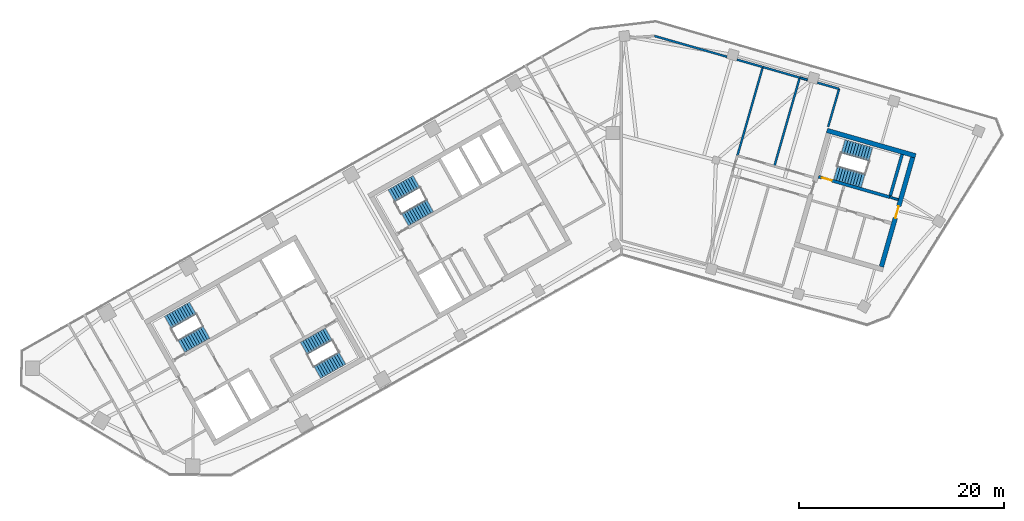
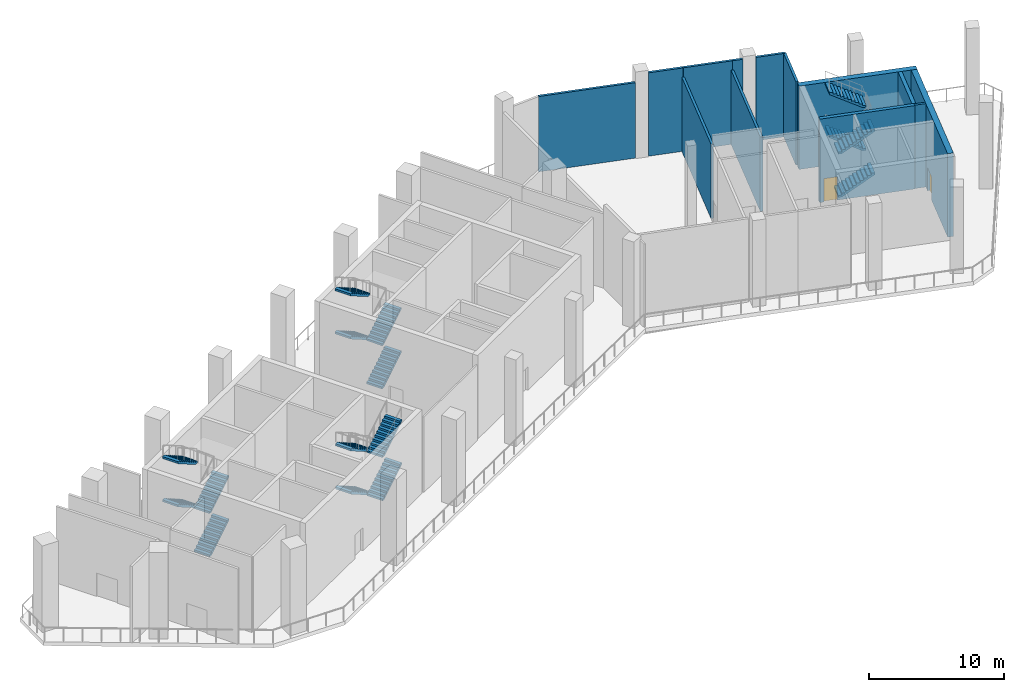
# One storey, part 5 of 8: 16 stair flights, 13 walls, 2 doors, 2 openings, 4 elements without a shape of their own.
"""IFC4 building model written with IfcOpenShell, lengths in metres."""

from ifc_helpers import new_model, si_unit, direction, frame, frame_2d, origin, place, context, subcontext, project, spatial, polyline, rectangle, outline, extrude, material, layer, layer_set, type_object, element, fill, aggregate, save


model = new_model("IFC4")

# Units and contexts
model_context = context("Model", 3, precision=1e-05, world=origin(), true_north=direction((0.0, 1.0)))
body_context = subcontext(model_context, "Body", "Model", "MODEL_VIEW")
ifc_project = project(units=[si_unit("LENGTHUNIT", "METRE"), si_unit("AREAUNIT", "SQUARE_METRE"), si_unit("VOLUMEUNIT", "CUBIC_METRE"), si_unit("PLANEANGLEUNIT", "RADIAN"), si_unit("MASSUNIT", "GRAM", prefix="KILO")], contexts=[model_context])

# Site, building, storey
site_placement = place(None, origin())
site = spatial("IfcSite", under=ifc_project, at=site_placement, CompositionType="ELEMENT")
building_placement = place(site_placement, origin())
building = spatial("IfcBuilding", under=site, at=building_placement, Name="Binnacle Exchange Tower", CompositionType="ELEMENT")
storey_placement = place(building_placement, frame((0.0, 0.0, 230.89990234375)))
storey = spatial("IfcBuildingStorey", under=building, at=storey_placement, Name="L51", CompositionType="ELEMENT", Elevation=230.89990234375)

# Wall
ifc_material_1 = material(Name="Concrete C70/85", Category="concrete")
ifc_layer_1 = layer(ifc_material_1, 0.449951171875)
ifc_layer_set_1 = layer_set([ifc_layer_1], Name="Core wall - outer 450")
wall_type_1 = type_object("IfcWallType", Name="Core wall - outer 450", PredefinedType="SOLIDWALL", material=ifc_layer_set_1)
wall_1_placement = place(storey_placement, frame((20.073486328125, 60.251708984375, 0.0), z_axis=(0.0, 0.0, 1.0), x_axis=(0.96126248289, -0.275634611374, 0.0)))
element("IfcWall", 1, at=wall_1_placement, inside=storey, type_object=wall_type_1, Name="Core wall CRWD6", PredefinedType="SOLIDWALL", context=body_context, shape_type="SweptSolid", body=[
    extrude(rectangle(XDim=9.0, YDim=0.449951171875, at=frame_2d((4.5, 0.0))), origin(), (0.0, 0.0, 1.0), 7.52001953125),
])

# Wall, opening, door
wall_2_placement = place(storey_placement, frame((25.386962890625, 46.94677734375, 0.0), z_axis=(0.0, 0.0, 1.0), x_axis=(0.275638974822, 0.961261231695, 0.0)))
wall_2 = element("IfcWall", 2, at=wall_2_placement, inside=storey, type_object=wall_type_1, Name="Core wall CRWD12", PredefinedType="SOLIDWALL", context=body_context, shape_type="SweptSolid", body=[
    extrude(rectangle(XDim=11.099853515625, YDim=0.449951171875, at=frame_2d((5.5498046875, 0.0))), origin(), (0.0, 0.0, 1.0), 7.52001953125),
])
opening_1_placement = place(wall_2_placement, frame((4.949951171875, 0.0, 0.0)))
opening_1 = element("IfcOpeningElement", 3, at=opening_1_placement, cuts=wall_2, Name="Opening DD6", PredefinedType="OPENING", context=body_context, shape_type="SweptSolid", body=[
    extrude(rectangle(XDim=1.199951171875, YDim=2.10009765625, at=frame_2d((0.60009765625, 1.050048828125))), frame((0.0, 0.23486328125, 0.0), z_axis=(0.0, -1.0, 0.0), x_axis=(1.0, 0.0, 0.0)), (0.0, 0.0, 1.0), 0.469970703125),
])
ifc_material_2 = material(Name="Steel door leaf", Category="steel")
door_type_1 = type_object("IfcDoorType", Name="Fire door 1200", OperationType="NOTDEFINED", PredefinedType="DOOR", material=ifc_material_2)
door_1_placement = place(opening_1_placement, frame((1.199951171875, 0.0, 0.0), z_axis=(0.0, 0.0, 1.0), x_axis=(-1.0, 0.0, 0.0)))
door_1 = element("IfcDoor", 4, at=door_1_placement, inside=storey, type_object=door_type_1, Name="Core passage exit door", OperationType="SINGLE_SWING_RIGHT", OverallHeight=2.10009765625, OverallWidth=1.199951171875, PredefinedType="DOOR", context=body_context, shape_type="SweptSolid", body=[
    extrude(rectangle(XDim=1.199951171875, YDim=2.10009765625, at=frame_2d((0.60009765625, 1.050048828125))), frame((0.0, 0.02490234375, 0.0), z_axis=(0.0, -1.0, 0.0), x_axis=(1.0, 0.0, 0.0)), (0.0, 0.0, 1.0), 0.050048828125),
])
fill(opening_1, door_1)

ifc_layer_2 = layer(ifc_material_1, 0.300048828125)
ifc_layer_set_2 = layer_set([ifc_layer_2], Name="Core wall - stair 300")
wall_type_2 = type_object("IfcWallType", Name="Core wall - stair 300", PredefinedType="SOLIDWALL", material=ifc_layer_set_2)
wall_3_placement = place(storey_placement, frame((19.2451171875, 55.72998046875, 0.0), z_axis=(0.0, 0.0, 1.0), x_axis=(0.961263007877, -0.275632780503, 0.0)))
wall_3 = element("IfcWall", 5, at=wall_3_placement, inside=storey, type_object=wall_type_2, Name="Core wall CRWD4", PredefinedType="SOLIDWALL", context=body_context, shape_type="SweptSolid", body=[
    extrude(rectangle(XDim=7.249755859375, YDim=0.300048828125, at=frame_2d((3.625, 0.0))), origin(), (0.0, 0.0, 1.0), 7.52001953125),
])
opening_2_placement = place(wall_3_placement, frame((0.35009765625, 0.0, 0.0)))
opening_2 = element("IfcOpeningElement", 6, at=opening_2_placement, cuts=wall_3, Name="Opening DD1", PredefinedType="OPENING", context=body_context, shape_type="SweptSolid", body=[
    extrude(rectangle(XDim=1.0, YDim=2.10009765625, at=frame_2d((0.5, 1.050048828125))), frame((0.0, 0.159912109375, 0.0), z_axis=(0.0, -1.0, 0.0), x_axis=(1.0, 0.0, 0.0)), (0.0, 0.0, 1.0), 0.320068359375),
])
door_type_2 = type_object("IfcDoorType", Name="Fire door 1000", OperationType="NOTDEFINED", PredefinedType="DOOR", material=ifc_material_2)
door_2_placement = place(opening_2_placement, origin())
door_2 = element("IfcDoor", 7, at=door_2_placement, inside=storey, type_object=door_type_2, Name="Stair door ST-D1", OperationType="SINGLE_SWING_LEFT", OverallHeight=2.10009765625, OverallWidth=1.0, PredefinedType="DOOR", context=body_context, shape_type="SweptSolid", body=[
    extrude(rectangle(XDim=1.0, YDim=2.10009765625, at=frame_2d((0.5, 1.050048828125))), frame((0.0, 0.02490234375, 0.0), z_axis=(0.0, -1.0, 0.0), x_axis=(1.0, 0.0, 0.0)), (0.0, 0.0, 1.0), 0.050048828125),
])
fill(opening_2, door_2)

# Walls
wall_4_placement = place(storey_placement, frame((26.255615234375, 53.875732421875, 0.0), z_axis=(0.0, 0.0, 1.0), x_axis=(0.275588560745, 0.96127568636, 0.0)))
element("IfcWall", 8, at=wall_4_placement, inside=storey, type_object=wall_type_2, Name="Core wall CRWD11", PredefinedType="SOLIDWALL", context=body_context, shape_type="SweptSolid", body=[
    extrude(rectangle(XDim=4.199951171875, YDim=0.300048828125, at=frame_2d((2.10009765625, 0.0))), origin(), (0.0, 0.0, 1.0), 7.52001953125),
])
ifc_material_3 = material(Name="Masonry block wall", Category="masonry")
ifc_layer_3 = layer(ifc_material_3, 0.199951171875)
ifc_layer_set_3 = layer_set([ifc_layer_3], Name="Fire wall - block 200")
wall_type_3 = type_object("IfcWallType", Name="Fire wall - block 200", PredefinedType="PARTITIONING", material=ifc_layer_set_3)
wall_5_placement = place(storey_placement, frame((3.237060546875, 69.47509765625, 0.0), z_axis=(0.0, 0.0, 1.0), x_axis=(0.961264589349, -0.275627265093, 0.0)))
element("IfcWall", 9, at=wall_5_placement, inside=storey, type_object=wall_type_3, Name="Partition W24", PredefinedType="PARTITIONING", context=body_context, shape_type="SweptSolid", body=[
    extrude(rectangle(XDim=7.365234375, YDim=0.199951171875, at=frame_2d((3.6826171875, 0.0))), origin(), (0.0, 0.0, 1.0), 6.800048828125),
])
wall_6_placement = place(storey_placement, frame((11.278076171875, 67.1689453125, 0.0), z_axis=(0.0, 0.0, 1.0), x_axis=(0.961252227854, -0.275670372813, 0.0)))
element("IfcWall", 10, at=wall_6_placement, inside=storey, type_object=wall_type_3, Name="Partition W29", PredefinedType="PARTITIONING", context=body_context, shape_type="SweptSolid", body=[
    extrude(rectangle(XDim=2.615234375, YDim=0.199951171875, at=frame_2d((1.3076171875, 0.0))), origin(), (0.0, 0.0, 1.0), 7.52001953125),
])
wall_7_placement = place(storey_placement, frame((11.330078125, 57.791015625, 0.0), z_axis=(0.0, 0.0, 1.0), x_axis=(0.275638114595, 0.961261478362, 0.0)))
element("IfcWall", 11, at=wall_7_placement, inside=storey, type_object=wall_type_3, Name="Partition W30", PredefinedType="PARTITIONING", context=body_context, shape_type="SweptSolid", body=[
    extrude(rectangle(XDim=9.000732421875, YDim=0.199951171875, at=frame_2d((4.50048828125, 0.0))), origin(), (0.0, 0.0, 1.0), 6.692138671875),
])
wall_8_placement = place(storey_placement, frame((13.821044921875, 66.43994140625, 0.0), z_axis=(0.0, 0.0, 1.0), x_axis=(0.961271569029, -0.27560292193, 0.0)))
element("IfcWall", 12, at=wall_8_placement, inside=storey, type_object=wall_type_3, Name="Partition W34", PredefinedType="PARTITIONING", context=body_context, shape_type="SweptSolid", body=[
    extrude(rectangle(XDim=3.7294921875, YDim=0.199951171875, at=frame_2d((1.86474609375, 0.0))), origin(), (0.0, 0.0, 1.0), 7.52001953125),
])
wall_9_placement = place(storey_placement, frame((14.93505859375, 56.758056640625, 0.0), z_axis=(0.0, 0.0, 1.0), x_axis=(0.275674053528, 0.961251172281, 0.0)))
element("IfcWall", 13, at=wall_9_placement, inside=storey, type_object=wall_type_3, Name="Partition W36", PredefinedType="PARTITIONING", context=body_context, shape_type="SweptSolid", body=[
    extrude(rectangle(XDim=8.99951171875, YDim=0.199951171875, at=frame_2d((4.499755859375, 0.0))), origin(), (0.0, 0.0, 1.0), 6.692138671875),
])
wall_10_placement = place(storey_placement, frame((17.43505859375, 65.404052734375, 0.0), z_axis=(0.0, 0.0, 1.0), x_axis=(0.96107880111, -0.276274389072, 0.0)))
element("IfcWall", 14, at=wall_10_placement, inside=storey, type_object=wall_type_3, Name="Partition W39", PredefinedType="PARTITIONING", context=body_context, shape_type="SweptSolid", body=[
    extrude(rectangle(XDim=0.767822265625, YDim=0.199951171875, at=frame_2d((0.3837890625, 0.0))), origin(), (0.0, 0.0, 1.0), 7.52001953125),
])
wall_11_placement = place(storey_placement, frame((19.135009765625, 64.9169921875, 0.0), z_axis=(0.0, 0.0, 1.0), x_axis=(0.961202561054, -0.275843500238, 0.0)))
element("IfcWall", 15, at=wall_11_placement, inside=storey, type_object=wall_type_3, Name="Partition W40", PredefinedType="PARTITIONING", context=body_context, shape_type="SweptSolid", body=[
    extrude(rectangle(XDim=2.211669921875, YDim=0.199951171875, at=frame_2d((1.10595703125, 0.0))), origin(), (0.0, 0.0, 1.0), 7.52001953125),
])
wall_12_placement = place(storey_placement, frame((20.18994140625, 60.60791015625, 0.0), z_axis=(0.0, 0.0, 1.0), x_axis=(0.278127347834, 0.960544209491, 0.0)))
element("IfcWall", 16, at=wall_12_placement, inside=storey, type_object=wall_type_3, Name="Partition W41", PredefinedType="PARTITIONING", context=body_context, shape_type="SweptSolid", body=[
    extrude(rectangle(XDim=3.850830078125, YDim=0.199951171875, at=frame_2d((1.92529296875, 0.0))), origin(), (0.0, 0.0, 1.0), 7.52001953125),
])
ifc_layer_4 = layer(ifc_material_3, 0.199951171875)
ifc_layer_set_4 = layer_set([ifc_layer_4], Name="Riser wall 200")
wall_type_4 = type_object("IfcWallType", Name="Riser wall 200", PredefinedType="SOLIDWALL", material=ifc_layer_set_4)
wall_13_placement = place(storey_placement, frame((26.214111328125, 53.731689453125, 0.0), z_axis=(0.0, 0.0, 1.0), x_axis=(0.961241665642, -0.275707200184, 0.0)))
element("IfcWall", 17, at=wall_13_placement, inside=storey, type_object=wall_type_4, Name="Core wall CRWD5", PredefinedType="SOLIDWALL", context=body_context, shape_type="SweptSolid", body=[
    extrude(rectangle(XDim=0.85009765625, YDim=0.199951171875, at=frame_2d((0.425048828125, 0.0))), origin(), (0.0, 0.0, 1.0), 7.52001953125),
])

# Stair, stair flights
ifc_material_4 = material(Name="Concrete C35/45", Category="concrete")
stair_type = type_object("IfcStairType", Name="STAIR 44 RISERS 177", PredefinedType="HALF_TURN_STAIR", material=ifc_material_4)
stair_1_placement = place(storey_placement, origin())
stair_1 = element("IfcStair", 18, at=stair_1_placement, inside=storey, type_object=stair_type, Name="L51 Escape stair A1", PredefinedType="HALF_TURN_STAIR")
stair_flight_type = type_object("IfcStairFlightType", Name="STAIR FLIGHT 177X280", PredefinedType="STRAIGHT", material=ifc_material_4)
stair_flight_1_placement = place(storey_placement, frame((-42.9541015625, 39.17333984375, 0.0), z_axis=(0.0, 0.0, 1.0), x_axis=(0.870355584213, 0.492423757581, 0.0)))
stair_flight_1 = element("IfcStairFlight", 19, at=stair_flight_1_placement, type_object=stair_flight_type, Name="STA1 flight 1", NumberOfRisers=11, NumberOfTreads=10, PredefinedType="STRAIGHT", RiserHeight=0.177272727, TreadLength=0.28, context=body_context, shape_type="SweptSolid", body=[
    extrude(outline(polyline([(0.0, 0.0), (0.0, 0.17724609375), (0.280029296875, 0.17724609375), (0.280029296875, 0.3544921875), (0.56005859375, 0.3544921875), (0.56005859375, 0.53173828125), (0.840087890625, 0.53173828125), (0.840087890625, 0.708984375), (1.1201171875, 0.708984375), (1.1201171875, 0.886474609375), (1.39990234375, 0.886474609375), (1.39990234375, 1.063720703125), (1.679931640625, 1.063720703125), (1.679931640625, 1.240966796875), (1.9599609375, 1.240966796875), (1.9599609375, 1.418212890625), (2.239990234375, 1.418212890625), (2.239990234375, 1.595458984375), (2.52001953125, 1.595458984375), (2.52001953125, 1.772705078125), (2.800048828125, 1.772705078125), (2.800048828125, 1.949951171875), (2.800048828125, 1.59521484375), (0.2802734375, 0.0), (0.0, 0.0)])), frame((0.0, 0.675048828125, 0.0), z_axis=(0.0, -1.0, 0.0), x_axis=(1.0, 0.0, 0.0)), (0.0, 0.0, 1.0), 1.35009765625),
])
stair_flight_2_placement = place(storey_placement, frame((-41.846435546875, 42.902099609375, 1.9501953125), z_axis=(0.0, 0.0, 1.0), x_axis=(-0.870355584213, -0.492423757581, 0.0)))
stair_flight_2 = element("IfcStairFlight", 20, at=stair_flight_2_placement, type_object=stair_flight_type, Name="STA1 flight 2", NumberOfRisers=11, NumberOfTreads=10, PredefinedType="STRAIGHT", RiserHeight=0.177272727, TreadLength=0.28, context=body_context, shape_type="SweptSolid", body=[
    extrude(outline(polyline([(0.0, 0.0), (0.0, 0.17724609375), (0.280029296875, 0.17724609375), (0.280029296875, 0.3544921875), (0.56005859375, 0.3544921875), (0.56005859375, 0.53173828125), (0.840087890625, 0.53173828125), (0.840087890625, 0.708984375), (1.1201171875, 0.708984375), (1.1201171875, 0.886474609375), (1.39990234375, 0.886474609375), (1.39990234375, 1.063720703125), (1.679931640625, 1.063720703125), (1.679931640625, 1.240966796875), (1.9599609375, 1.240966796875), (1.9599609375, 1.418212890625), (2.239990234375, 1.418212890625), (2.239990234375, 1.595458984375), (2.52001953125, 1.595458984375), (2.52001953125, 1.772705078125), (2.800048828125, 1.772705078125), (2.800048828125, 1.949951171875), (2.800048828125, 1.59521484375), (0.2802734375, 0.0), (0.0, 0.0)])), frame((0.0, 0.675048828125, 0.0), z_axis=(0.0, -1.0, 0.0), x_axis=(1.0, 0.0, 0.0)), (0.0, 0.0, 1.0), 1.35009765625),
])
stair_flight_3_placement = place(storey_placement, frame((-42.9541015625, 39.17333984375, 3.900146484375), z_axis=(0.0, 0.0, 1.0), x_axis=(0.870355584213, 0.492423757581, 0.0)))
stair_flight_3 = element("IfcStairFlight", 21, at=stair_flight_3_placement, type_object=stair_flight_type, Name="STA1 flight 3", NumberOfRisers=11, NumberOfTreads=10, PredefinedType="STRAIGHT", RiserHeight=0.177272727, TreadLength=0.28, context=body_context, shape_type="SweptSolid", body=[
    extrude(outline(polyline([(0.0, 0.0), (0.0, 0.17724609375), (0.280029296875, 0.17724609375), (0.280029296875, 0.3544921875), (0.56005859375, 0.3544921875), (0.56005859375, 0.53173828125), (0.840087890625, 0.53173828125), (0.840087890625, 0.708984375), (1.1201171875, 0.708984375), (1.1201171875, 0.886474609375), (1.39990234375, 0.886474609375), (1.39990234375, 1.063720703125), (1.679931640625, 1.063720703125), (1.679931640625, 1.240966796875), (1.9599609375, 1.240966796875), (1.9599609375, 1.418212890625), (2.239990234375, 1.418212890625), (2.239990234375, 1.595458984375), (2.52001953125, 1.595458984375), (2.52001953125, 1.772705078125), (2.800048828125, 1.772705078125), (2.800048828125, 1.949951171875), (2.800048828125, 1.59521484375), (0.2802734375, 0.0), (0.0, 0.0)])), frame((0.0, 0.675048828125, 0.0), z_axis=(0.0, -1.0, 0.0), x_axis=(1.0, 0.0, 0.0)), (0.0, 0.0, 1.0), 1.35009765625),
])
stair_flight_4_placement = place(storey_placement, frame((-41.846435546875, 42.902099609375, 5.85009765625), z_axis=(0.0, 0.0, 1.0), x_axis=(-0.870355584213, -0.492423757581, 0.0)))
stair_flight_4 = element("IfcStairFlight", 22, at=stair_flight_4_placement, type_object=stair_flight_type, Name="STA1 flight 4", NumberOfRisers=11, NumberOfTreads=10, PredefinedType="STRAIGHT", RiserHeight=0.177272727, TreadLength=0.28, context=body_context, shape_type="SweptSolid", body=[
    extrude(outline(polyline([(0.0, 0.0), (0.0, 0.17724609375), (0.280029296875, 0.17724609375), (0.280029296875, 0.3544921875), (0.56005859375, 0.3544921875), (0.56005859375, 0.53173828125), (0.840087890625, 0.53173828125), (0.840087890625, 0.708984375), (1.1201171875, 0.708984375), (1.1201171875, 0.886474609375), (1.39990234375, 0.886474609375), (1.39990234375, 1.063720703125), (1.679931640625, 1.063720703125), (1.679931640625, 1.240966796875), (1.9599609375, 1.240966796875), (1.9599609375, 1.418212890625), (2.239990234375, 1.418212890625), (2.239990234375, 1.595458984375), (2.52001953125, 1.595458984375), (2.52001953125, 1.772705078125), (2.800048828125, 1.772705078125), (2.800048828125, 1.949951171875), (2.800048828125, 1.59521484375), (0.2802734375, 0.0), (0.0, 0.0)])), frame((0.0, 0.675048828125, 0.0), z_axis=(0.0, -1.0, 0.0), x_axis=(1.0, 0.0, 0.0)), (0.0, 0.0, 1.0), 1.35009765625),
])
aggregate(stair_1, [stair_flight_1, stair_flight_2, stair_flight_3, stair_flight_4])

stair_2_placement = place(storey_placement, origin())
stair_2 = element("IfcStair", 23, at=stair_2_placement, inside=storey, type_object=stair_type, Name="L51 Escape stair A2", PredefinedType="HALF_TURN_STAIR")
stair_flight_5_placement = place(storey_placement, frame((-28.5732421875, 40.3583984375, 0.0), z_axis=(0.0, 0.0, 1.0), x_axis=(-0.870355584213, -0.492423757581, 0.0)))
stair_flight_5 = element("IfcStairFlight", 24, at=stair_flight_5_placement, type_object=stair_flight_type, Name="STA2 flight 1", NumberOfRisers=11, NumberOfTreads=10, PredefinedType="STRAIGHT", RiserHeight=0.177272727, TreadLength=0.28, context=body_context, shape_type="SweptSolid", body=[
    extrude(outline(polyline([(0.0, 0.0), (0.0, 0.17724609375), (0.280029296875, 0.17724609375), (0.280029296875, 0.3544921875), (0.56005859375, 0.3544921875), (0.56005859375, 0.53173828125), (0.840087890625, 0.53173828125), (0.840087890625, 0.708984375), (1.1201171875, 0.708984375), (1.1201171875, 0.886474609375), (1.39990234375, 0.886474609375), (1.39990234375, 1.063720703125), (1.679931640625, 1.063720703125), (1.679931640625, 1.240966796875), (1.9599609375, 1.240966796875), (1.9599609375, 1.418212890625), (2.239990234375, 1.418212890625), (2.239990234375, 1.595458984375), (2.52001953125, 1.595458984375), (2.52001953125, 1.772705078125), (2.800048828125, 1.772705078125), (2.800048828125, 1.949951171875), (2.800048828125, 1.59521484375), (0.2802734375, 0.0), (0.0, 0.0)])), frame((0.0, 0.675048828125, 0.0), z_axis=(0.0, -1.0, 0.0), x_axis=(1.0, 0.0, 0.0)), (0.0, 0.0, 1.0), 1.35009765625),
])
stair_flight_6_placement = place(storey_placement, frame((-29.6806640625, 36.629638671875, 1.9501953125), z_axis=(0.0, 0.0, 1.0), x_axis=(0.870355584213, 0.492423757581, 0.0)))
stair_flight_6 = element("IfcStairFlight", 25, at=stair_flight_6_placement, type_object=stair_flight_type, Name="STA2 flight 2", NumberOfRisers=11, NumberOfTreads=10, PredefinedType="STRAIGHT", RiserHeight=0.177272727, TreadLength=0.28, context=body_context, shape_type="SweptSolid", body=[
    extrude(outline(polyline([(0.0, 0.0), (0.0, 0.17724609375), (0.280029296875, 0.17724609375), (0.280029296875, 0.3544921875), (0.56005859375, 0.3544921875), (0.56005859375, 0.53173828125), (0.840087890625, 0.53173828125), (0.840087890625, 0.708984375), (1.1201171875, 0.708984375), (1.1201171875, 0.886474609375), (1.39990234375, 0.886474609375), (1.39990234375, 1.063720703125), (1.679931640625, 1.063720703125), (1.679931640625, 1.240966796875), (1.9599609375, 1.240966796875), (1.9599609375, 1.418212890625), (2.239990234375, 1.418212890625), (2.239990234375, 1.595458984375), (2.52001953125, 1.595458984375), (2.52001953125, 1.772705078125), (2.800048828125, 1.772705078125), (2.800048828125, 1.949951171875), (2.800048828125, 1.59521484375), (0.2802734375, 0.0), (0.0, 0.0)])), frame((0.0, 0.675048828125, 0.0), z_axis=(0.0, -1.0, 0.0), x_axis=(1.0, 0.0, 0.0)), (0.0, 0.0, 1.0), 1.35009765625),
])
stair_flight_7_placement = place(storey_placement, frame((-28.5732421875, 40.3583984375, 3.900146484375), z_axis=(0.0, 0.0, 1.0), x_axis=(-0.870355584213, -0.492423757581, 0.0)))
stair_flight_7 = element("IfcStairFlight", 26, at=stair_flight_7_placement, type_object=stair_flight_type, Name="STA2 flight 3", NumberOfRisers=11, NumberOfTreads=10, PredefinedType="STRAIGHT", RiserHeight=0.177272727, TreadLength=0.28, context=body_context, shape_type="SweptSolid", body=[
    extrude(outline(polyline([(0.0, 0.0), (0.0, 0.17724609375), (0.280029296875, 0.17724609375), (0.280029296875, 0.3544921875), (0.56005859375, 0.3544921875), (0.56005859375, 0.53173828125), (0.840087890625, 0.53173828125), (0.840087890625, 0.708984375), (1.1201171875, 0.708984375), (1.1201171875, 0.886474609375), (1.39990234375, 0.886474609375), (1.39990234375, 1.063720703125), (1.679931640625, 1.063720703125), (1.679931640625, 1.240966796875), (1.9599609375, 1.240966796875), (1.9599609375, 1.418212890625), (2.239990234375, 1.418212890625), (2.239990234375, 1.595458984375), (2.52001953125, 1.595458984375), (2.52001953125, 1.772705078125), (2.800048828125, 1.772705078125), (2.800048828125, 1.949951171875), (2.800048828125, 1.59521484375), (0.2802734375, 0.0), (0.0, 0.0)])), frame((0.0, 0.675048828125, 0.0), z_axis=(0.0, -1.0, 0.0), x_axis=(1.0, 0.0, 0.0)), (0.0, 0.0, 1.0), 1.35009765625),
])
stair_flight_8_placement = place(storey_placement, frame((-29.6806640625, 36.629638671875, 5.85009765625), z_axis=(0.0, 0.0, 1.0), x_axis=(0.870355584213, 0.492423757581, 0.0)))
stair_flight_8 = element("IfcStairFlight", 27, at=stair_flight_8_placement, type_object=stair_flight_type, Name="STA2 flight 4", NumberOfRisers=11, NumberOfTreads=10, PredefinedType="STRAIGHT", RiserHeight=0.177272727, TreadLength=0.28, context=body_context, shape_type="SweptSolid", body=[
    extrude(outline(polyline([(0.0, 0.0), (0.0, 0.17724609375), (0.280029296875, 0.17724609375), (0.280029296875, 0.3544921875), (0.56005859375, 0.3544921875), (0.56005859375, 0.53173828125), (0.840087890625, 0.53173828125), (0.840087890625, 0.708984375), (1.1201171875, 0.708984375), (1.1201171875, 0.886474609375), (1.39990234375, 0.886474609375), (1.39990234375, 1.063720703125), (1.679931640625, 1.063720703125), (1.679931640625, 1.240966796875), (1.9599609375, 1.240966796875), (1.9599609375, 1.418212890625), (2.239990234375, 1.418212890625), (2.239990234375, 1.595458984375), (2.52001953125, 1.595458984375), (2.52001953125, 1.772705078125), (2.800048828125, 1.772705078125), (2.800048828125, 1.949951171875), (2.800048828125, 1.59521484375), (0.2802734375, 0.0), (0.0, 0.0)])), frame((0.0, 0.675048828125, 0.0), z_axis=(0.0, -1.0, 0.0), x_axis=(1.0, 0.0, 0.0)), (0.0, 0.0, 1.0), 1.35009765625),
])
aggregate(stair_2, [stair_flight_5, stair_flight_6, stair_flight_7, stair_flight_8])

stair_3_placement = place(storey_placement, origin())
stair_3 = element("IfcStair", 28, at=stair_3_placement, inside=storey, type_object=stair_type, Name="L51 Escape stair C1", PredefinedType="HALF_TURN_STAIR")
stair_flight_9_placement = place(storey_placement, frame((-21.115966796875, 51.528564453125, 0.0), z_axis=(0.0, 0.0, 1.0), x_axis=(0.870355584213, 0.492423757581, 0.0)))
stair_flight_9 = element("IfcStairFlight", 29, at=stair_flight_9_placement, type_object=stair_flight_type, Name="STC1 flight 1", NumberOfRisers=11, NumberOfTreads=10, PredefinedType="STRAIGHT", RiserHeight=0.177272727, TreadLength=0.28, context=body_context, shape_type="SweptSolid", body=[
    extrude(outline(polyline([(0.0, 0.0), (0.0, 0.17724609375), (0.280029296875, 0.17724609375), (0.280029296875, 0.3544921875), (0.56005859375, 0.3544921875), (0.56005859375, 0.53173828125), (0.840087890625, 0.53173828125), (0.840087890625, 0.708984375), (1.1201171875, 0.708984375), (1.1201171875, 0.886474609375), (1.39990234375, 0.886474609375), (1.39990234375, 1.063720703125), (1.679931640625, 1.063720703125), (1.679931640625, 1.240966796875), (1.9599609375, 1.240966796875), (1.9599609375, 1.418212890625), (2.239990234375, 1.418212890625), (2.239990234375, 1.595458984375), (2.52001953125, 1.595458984375), (2.52001953125, 1.772705078125), (2.800048828125, 1.772705078125), (2.800048828125, 1.949951171875), (2.800048828125, 1.59521484375), (0.2802734375, 0.0), (0.0, 0.0)])), frame((0.0, 0.675048828125, 0.0), z_axis=(0.0, -1.0, 0.0), x_axis=(1.0, 0.0, 0.0)), (0.0, 0.0, 1.0), 1.35009765625),
])
stair_flight_10_placement = place(storey_placement, frame((-20.008544921875, 55.25732421875, 1.9501953125), z_axis=(0.0, 0.0, 1.0), x_axis=(-0.870355584213, -0.492423757581, 0.0)))
stair_flight_10 = element("IfcStairFlight", 30, at=stair_flight_10_placement, type_object=stair_flight_type, Name="STC1 flight 2", NumberOfRisers=11, NumberOfTreads=10, PredefinedType="STRAIGHT", RiserHeight=0.177272727, TreadLength=0.28, context=body_context, shape_type="SweptSolid", body=[
    extrude(outline(polyline([(0.0, 0.0), (0.0, 0.17724609375), (0.280029296875, 0.17724609375), (0.280029296875, 0.3544921875), (0.56005859375, 0.3544921875), (0.56005859375, 0.53173828125), (0.840087890625, 0.53173828125), (0.840087890625, 0.708984375), (1.1201171875, 0.708984375), (1.1201171875, 0.886474609375), (1.39990234375, 0.886474609375), (1.39990234375, 1.063720703125), (1.679931640625, 1.063720703125), (1.679931640625, 1.240966796875), (1.9599609375, 1.240966796875), (1.9599609375, 1.418212890625), (2.239990234375, 1.418212890625), (2.239990234375, 1.595458984375), (2.52001953125, 1.595458984375), (2.52001953125, 1.772705078125), (2.800048828125, 1.772705078125), (2.800048828125, 1.949951171875), (2.800048828125, 1.59521484375), (0.2802734375, 0.0), (0.0, 0.0)])), frame((0.0, 0.675048828125, 0.0), z_axis=(0.0, -1.0, 0.0), x_axis=(1.0, 0.0, 0.0)), (0.0, 0.0, 1.0), 1.35009765625),
])
stair_flight_11_placement = place(storey_placement, frame((-21.115966796875, 51.528564453125, 3.900146484375), z_axis=(0.0, 0.0, 1.0), x_axis=(0.870355584213, 0.492423757581, 0.0)))
stair_flight_11 = element("IfcStairFlight", 31, at=stair_flight_11_placement, type_object=stair_flight_type, Name="STC1 flight 3", NumberOfRisers=11, NumberOfTreads=10, PredefinedType="STRAIGHT", RiserHeight=0.177272727, TreadLength=0.28, context=body_context, shape_type="SweptSolid", body=[
    extrude(outline(polyline([(0.0, 0.0), (0.0, 0.17724609375), (0.280029296875, 0.17724609375), (0.280029296875, 0.3544921875), (0.56005859375, 0.3544921875), (0.56005859375, 0.53173828125), (0.840087890625, 0.53173828125), (0.840087890625, 0.708984375), (1.1201171875, 0.708984375), (1.1201171875, 0.886474609375), (1.39990234375, 0.886474609375), (1.39990234375, 1.063720703125), (1.679931640625, 1.063720703125), (1.679931640625, 1.240966796875), (1.9599609375, 1.240966796875), (1.9599609375, 1.418212890625), (2.239990234375, 1.418212890625), (2.239990234375, 1.595458984375), (2.52001953125, 1.595458984375), (2.52001953125, 1.772705078125), (2.800048828125, 1.772705078125), (2.800048828125, 1.949951171875), (2.800048828125, 1.59521484375), (0.2802734375, 0.0), (0.0, 0.0)])), frame((0.0, 0.675048828125, 0.0), z_axis=(0.0, -1.0, 0.0), x_axis=(1.0, 0.0, 0.0)), (0.0, 0.0, 1.0), 1.35009765625),
])
stair_flight_12_placement = place(storey_placement, frame((-20.008544921875, 55.25732421875, 5.85009765625), z_axis=(0.0, 0.0, 1.0), x_axis=(-0.870355584213, -0.492423757581, 0.0)))
stair_flight_12 = element("IfcStairFlight", 32, at=stair_flight_12_placement, type_object=stair_flight_type, Name="STC1 flight 4", NumberOfRisers=11, NumberOfTreads=10, PredefinedType="STRAIGHT", RiserHeight=0.177272727, TreadLength=0.28, context=body_context, shape_type="SweptSolid", body=[
    extrude(outline(polyline([(0.0, 0.0), (0.0, 0.17724609375), (0.280029296875, 0.17724609375), (0.280029296875, 0.3544921875), (0.56005859375, 0.3544921875), (0.56005859375, 0.53173828125), (0.840087890625, 0.53173828125), (0.840087890625, 0.708984375), (1.1201171875, 0.708984375), (1.1201171875, 0.886474609375), (1.39990234375, 0.886474609375), (1.39990234375, 1.063720703125), (1.679931640625, 1.063720703125), (1.679931640625, 1.240966796875), (1.9599609375, 1.240966796875), (1.9599609375, 1.418212890625), (2.239990234375, 1.418212890625), (2.239990234375, 1.595458984375), (2.52001953125, 1.595458984375), (2.52001953125, 1.772705078125), (2.800048828125, 1.772705078125), (2.800048828125, 1.949951171875), (2.800048828125, 1.59521484375), (0.2802734375, 0.0), (0.0, 0.0)])), frame((0.0, 0.675048828125, 0.0), z_axis=(0.0, -1.0, 0.0), x_axis=(1.0, 0.0, 0.0)), (0.0, 0.0, 1.0), 1.35009765625),
])
aggregate(stair_3, [stair_flight_9, stair_flight_10, stair_flight_11, stair_flight_12])

stair_4_placement = place(storey_placement, origin())
stair_4 = element("IfcStair", 33, at=stair_4_placement, inside=storey, type_object=stair_type, Name="L51 Escape stair D1", PredefinedType="HALF_TURN_STAIR")
stair_flight_13_placement = place(storey_placement, frame((20.914306640625, 56.109619140625, 0.0), z_axis=(0.0, 0.0, 1.0), x_axis=(0.961261811397, -0.275636953165, 0.0)))
stair_flight_13 = element("IfcStairFlight", 34, at=stair_flight_13_placement, type_object=stair_flight_type, Name="STD1 flight 1", NumberOfRisers=11, NumberOfTreads=10, PredefinedType="STRAIGHT", RiserHeight=0.177272727, TreadLength=0.28, context=body_context, shape_type="SweptSolid", body=[
    extrude(outline(polyline([(0.0, 0.0), (0.0, 0.17724609375), (0.280029296875, 0.17724609375), (0.280029296875, 0.3544921875), (0.56005859375, 0.3544921875), (0.56005859375, 0.53173828125), (0.840087890625, 0.53173828125), (0.840087890625, 0.708984375), (1.1201171875, 0.708984375), (1.1201171875, 0.886474609375), (1.39990234375, 0.886474609375), (1.39990234375, 1.063720703125), (1.679931640625, 1.063720703125), (1.679931640625, 1.240966796875), (1.9599609375, 1.240966796875), (1.9599609375, 1.418212890625), (2.239990234375, 1.418212890625), (2.239990234375, 1.595458984375), (2.52001953125, 1.595458984375), (2.52001953125, 1.772705078125), (2.800048828125, 1.772705078125), (2.800048828125, 1.949951171875), (2.800048828125, 1.59521484375), (0.2802734375, 0.0), (0.0, 0.0)])), frame((0.0, 0.675048828125, 0.0), z_axis=(0.0, -1.0, 0.0), x_axis=(1.0, 0.0, 0.0)), (0.0, 0.0, 1.0), 1.35009765625),
])
stair_flight_14_placement = place(storey_placement, frame((24.35009765625, 57.93310546875, 1.9501953125), z_axis=(0.0, 0.0, 1.0), x_axis=(-0.961261811397, 0.275636953165, 0.0)))
stair_flight_14 = element("IfcStairFlight", 35, at=stair_flight_14_placement, type_object=stair_flight_type, Name="STD1 flight 2", NumberOfRisers=11, NumberOfTreads=10, PredefinedType="STRAIGHT", RiserHeight=0.177272727, TreadLength=0.28, context=body_context, shape_type="SweptSolid", body=[
    extrude(outline(polyline([(0.0, 0.0), (0.0, 0.17724609375), (0.280029296875, 0.17724609375), (0.280029296875, 0.3544921875), (0.56005859375, 0.3544921875), (0.56005859375, 0.53173828125), (0.840087890625, 0.53173828125), (0.840087890625, 0.708984375), (1.1201171875, 0.708984375), (1.1201171875, 0.886474609375), (1.39990234375, 0.886474609375), (1.39990234375, 1.063720703125), (1.679931640625, 1.063720703125), (1.679931640625, 1.240966796875), (1.9599609375, 1.240966796875), (1.9599609375, 1.418212890625), (2.239990234375, 1.418212890625), (2.239990234375, 1.595458984375), (2.52001953125, 1.595458984375), (2.52001953125, 1.772705078125), (2.800048828125, 1.772705078125), (2.800048828125, 1.949951171875), (2.800048828125, 1.59521484375), (0.2802734375, 0.0), (0.0, 0.0)])), frame((0.0, 0.675048828125, 0.0), z_axis=(0.0, -1.0, 0.0), x_axis=(1.0, 0.0, 0.0)), (0.0, 0.0, 1.0), 1.35009765625),
])
stair_flight_15_placement = place(storey_placement, frame((20.914306640625, 56.109619140625, 3.900146484375), z_axis=(0.0, 0.0, 1.0), x_axis=(0.961261811397, -0.275636953165, 0.0)))
stair_flight_15 = element("IfcStairFlight", 36, at=stair_flight_15_placement, type_object=stair_flight_type, Name="STD1 flight 3", NumberOfRisers=11, NumberOfTreads=10, PredefinedType="STRAIGHT", RiserHeight=0.177272727, TreadLength=0.28, context=body_context, shape_type="SweptSolid", body=[
    extrude(outline(polyline([(0.0, 0.0), (0.0, 0.17724609375), (0.280029296875, 0.17724609375), (0.280029296875, 0.3544921875), (0.56005859375, 0.3544921875), (0.56005859375, 0.53173828125), (0.840087890625, 0.53173828125), (0.840087890625, 0.708984375), (1.1201171875, 0.708984375), (1.1201171875, 0.886474609375), (1.39990234375, 0.886474609375), (1.39990234375, 1.063720703125), (1.679931640625, 1.063720703125), (1.679931640625, 1.240966796875), (1.9599609375, 1.240966796875), (1.9599609375, 1.418212890625), (2.239990234375, 1.418212890625), (2.239990234375, 1.595458984375), (2.52001953125, 1.595458984375), (2.52001953125, 1.772705078125), (2.800048828125, 1.772705078125), (2.800048828125, 1.949951171875), (2.800048828125, 1.59521484375), (0.2802734375, 0.0), (0.0, 0.0)])), frame((0.0, 0.675048828125, 0.0), z_axis=(0.0, -1.0, 0.0), x_axis=(1.0, 0.0, 0.0)), (0.0, 0.0, 1.0), 1.35009765625),
])
stair_flight_16_placement = place(storey_placement, frame((24.35009765625, 57.93310546875, 5.85009765625), z_axis=(0.0, 0.0, 1.0), x_axis=(-0.961261811397, 0.275636953165, 0.0)))
stair_flight_16 = element("IfcStairFlight", 37, at=stair_flight_16_placement, type_object=stair_flight_type, Name="STD1 flight 4", NumberOfRisers=11, NumberOfTreads=10, PredefinedType="STRAIGHT", RiserHeight=0.177272727, TreadLength=0.28, context=body_context, shape_type="SweptSolid", body=[
    extrude(outline(polyline([(0.0, 0.0), (0.0, 0.17724609375), (0.280029296875, 0.17724609375), (0.280029296875, 0.3544921875), (0.56005859375, 0.3544921875), (0.56005859375, 0.53173828125), (0.840087890625, 0.53173828125), (0.840087890625, 0.708984375), (1.1201171875, 0.708984375), (1.1201171875, 0.886474609375), (1.39990234375, 0.886474609375), (1.39990234375, 1.063720703125), (1.679931640625, 1.063720703125), (1.679931640625, 1.240966796875), (1.9599609375, 1.240966796875), (1.9599609375, 1.418212890625), (2.239990234375, 1.418212890625), (2.239990234375, 1.595458984375), (2.52001953125, 1.595458984375), (2.52001953125, 1.772705078125), (2.800048828125, 1.772705078125), (2.800048828125, 1.949951171875), (2.800048828125, 1.59521484375), (0.2802734375, 0.0), (0.0, 0.0)])), frame((0.0, 0.675048828125, 0.0), z_axis=(0.0, -1.0, 0.0), x_axis=(1.0, 0.0, 0.0)), (0.0, 0.0, 1.0), 1.35009765625),
])
aggregate(stair_4, [stair_flight_13, stair_flight_14, stair_flight_15, stair_flight_16])

save(model, "model.ifc")
